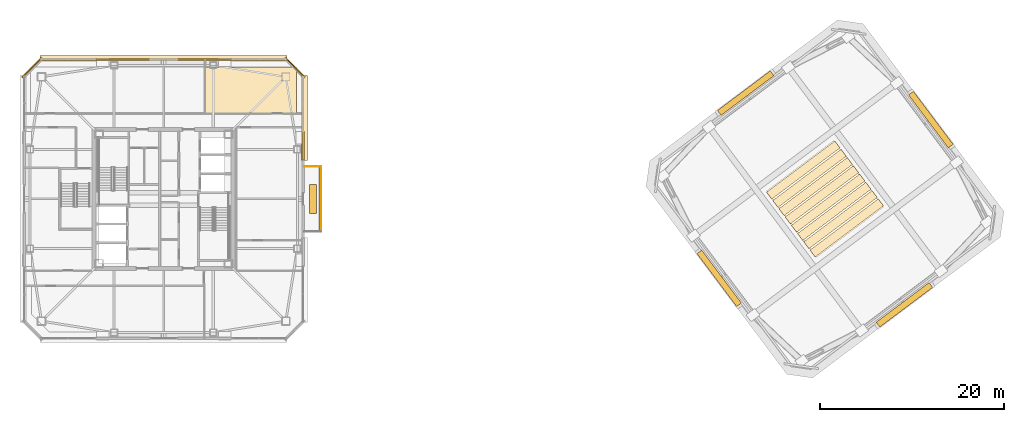
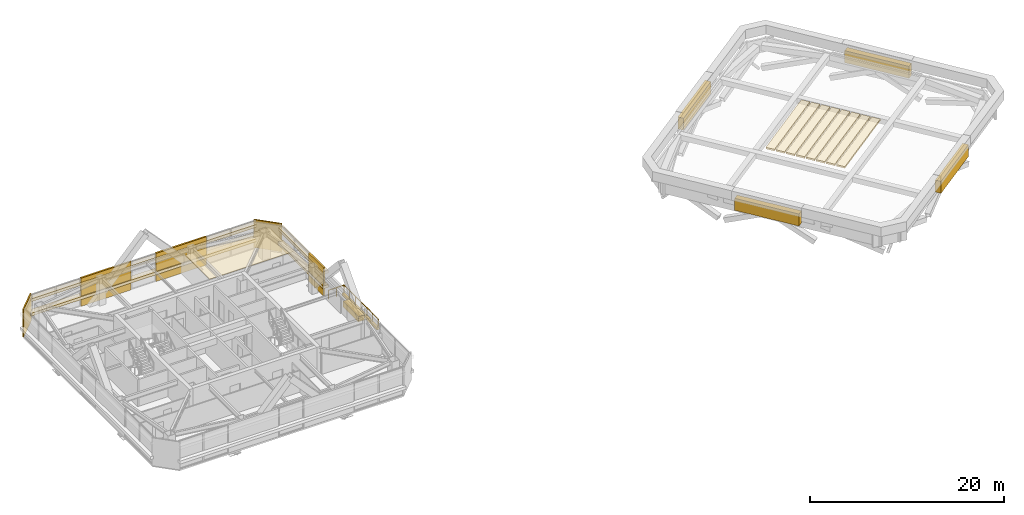
# One storey, part 24 of 24: 24 coverings, 2 railings.
"""IFC4 building model written with IfcOpenShell, lengths in metres."""

import ifcopenshell
import ifcopenshell.guid

model = None  # the IFC model being written
_history = None  # IfcOwnerHistory: only IFC2X3 demands one
_inside = {}  # id of a spatial element -> (the spatial element, [elements in it])
_under = {}  # id of a project, library or spatial element -> (it, [spatial elements below it])
_declared = {}  # id of a project -> (the project, [libraries it declares])
_typed = {}  # id of a type object -> (the type object, [elements of that type])
_made_of = {}  # id of a material, layer set ... -> (it, [elements and type objects made of it])


def new_model(schema):
    """Start an empty IFC model of exactly this schema.

    Asked for "IFC4X3", IfcOpenShell would pick the latest addendum, in which some entities
    have other attributes; the version numbers below select the first issue.
    IFC2X3 requires an IfcOwnerHistory on every rooted entity: one is made here for all.
    """
    global model, _history
    if schema == "IFC4X3":
        model = ifcopenshell.file(schema_version=(4, 3, 0, 0))
    else:
        model = ifcopenshell.file(schema=schema)
    _inside.clear()
    _under.clear()
    _declared.clear()
    _typed.clear()
    _made_of.clear()
    _history = None
    if model.schema == "IFC2X3":
        org = make("IfcOrganization", Name="unknown")
        user = make(
            "IfcPersonAndOrganization",
            ThePerson=make("IfcPerson", FamilyName="unknown"),
            TheOrganization=org,
        )
        app = make(
            "IfcApplication",
            ApplicationDeveloper=org,
            Version="unknown",
            ApplicationFullName="unknown",
            ApplicationIdentifier="unknown",
        )
        _history = make(
            "IfcOwnerHistory",
            OwningUser=user,
            OwningApplication=app,
            ChangeAction="ADDED",
            CreationDate=0,
        )
    return model


def make(cls, **values):
    """One entity of the class cls with the attributes given. An attribute that is None is left unset."""
    return model.create_entity(
        cls, **{name: value for name, value in values.items() if value is not None}
    )


def rooted(cls, **values):
    """An entity with a GlobalId (a new one), such as an element, a storey or a relation."""
    return make(cls, GlobalId=ifcopenshell.guid.new(), OwnerHistory=_history, **values)


def si_unit(unit_type, name, prefix=None):
    """IfcSIUnit, for example si_unit("LENGTHUNIT", "METRE", prefix="MILLI")."""
    return make("IfcSIUnit", UnitType=unit_type, Prefix=prefix, Name=name)


def assignment(units):
    """IfcUnitAssignment: the units of a project."""
    return None if units is None else make("IfcUnitAssignment", Units=units)


def point(xyz):
    """IfcCartesianPoint."""
    return None if xyz is None else make("IfcCartesianPoint", Coordinates=xyz)


def direction(xyz):
    """IfcDirection."""
    return None if xyz is None else make("IfcDirection", DirectionRatios=xyz)


def frame(location, z_axis=None, x_axis=None):
    """IfcAxis2Placement3D, a coordinate frame: its origin and axes. An axis left out is left unset."""
    return make(
        "IfcAxis2Placement3D",
        Location=point(location),
        Axis=direction(z_axis),
        RefDirection=direction(x_axis),
    )


def frame_2d(location, x_axis=None):
    """IfcAxis2Placement2D, a coordinate frame in the plane: its origin and x axis."""
    return make(
        "IfcAxis2Placement2D", Location=point(location), RefDirection=direction(x_axis)
    )


def origin():
    """The frame at (0, 0, 0) with its axes left unset."""
    return frame((0.0, 0.0, 0.0))


def origin_2d():
    """The frame at (0, 0) in the plane with its x axis left unset."""
    return frame_2d((0.0, 0.0))


def place(relative_to, where):
    """IfcLocalPlacement: puts the frame where relative to a parent placement (None: the world)."""
    return make(
        "IfcLocalPlacement", PlacementRelTo=relative_to, RelativePlacement=where
    )


def context(
    kind, dimensions, precision=None, world=None, true_north=None, identifier=None
):
    """IfcGeometricRepresentationContext, for example the 3D "Model" context."""
    return make(
        "IfcGeometricRepresentationContext",
        ContextIdentifier=identifier,
        ContextType=kind,
        CoordinateSpaceDimension=dimensions,
        Precision=precision,
        WorldCoordinateSystem=world,
        TrueNorth=true_north,
    )


def subcontext(parent, identifier, kind, view, scale=None):
    """IfcGeometricRepresentationSubContext, for example "Body" below "Model"."""
    return make(
        "IfcGeometricRepresentationSubContext",
        ContextIdentifier=identifier,
        ContextType=kind,
        ParentContext=parent,
        TargetScale=scale,
        TargetView=view,
    )


def project(units=None, contexts=None):
    """IfcProject with its units and contexts."""
    return rooted(
        "IfcProject",
        Name="project",
        RepresentationContexts=contexts,
        UnitsInContext=assignment(units),
    )


def spatial(cls, under=None, at=None, **own):
    """A site, building, storey or space (cls), placed at a placement, below another one or the project."""
    s = rooted(cls, ObjectPlacement=at, **own)
    if under is not None:
        _under.setdefault(under.id(), (under, []))[1].append(s)
    return s


def polyline(points):
    """IfcPolyline through the points."""
    return make("IfcPolyline", Points=[point(p) for p in points])


def profile(cls, at=None, kind="AREA", **sizes):
    """A parametric profile (cls). Its sizes go by their IFC names, for example OverallWidth=200.0."""
    return make(cls, ProfileType=kind, Position=at, **sizes)


def rectangle(**sizes):
    """IfcRectangleProfileDef."""
    return profile("IfcRectangleProfileDef", **sizes)


def outline(outer, holes=None, kind="AREA"):
    """IfcArbitraryClosedProfileDef: a profile drawn as a closed curve; with holes, ...WithVoids."""
    if holes is None:
        return make("IfcArbitraryClosedProfileDef", ProfileType=kind, OuterCurve=outer)
    return make(
        "IfcArbitraryProfileDefWithVoids",
        ProfileType=kind,
        OuterCurve=outer,
        InnerCurves=holes,
    )


def extrude(swept, where, along, depth):
    """IfcExtrudedAreaSolid: the profile swept, set in the frame where, extruded along a direction by depth."""
    return make(
        "IfcExtrudedAreaSolid",
        SweptArea=swept,
        Position=where,
        ExtrudedDirection=direction(along),
        Depth=depth,
    )


def shape(context_of_items, identifier, shape_type, items):
    """IfcShapeRepresentation: the items that make up one representation, for example the "Body"."""
    return make(
        "IfcShapeRepresentation",
        ContextOfItems=context_of_items,
        RepresentationIdentifier=identifier,
        RepresentationType=shape_type,
        Items=items,
    )


def material(Name=None, Category=None):
    """IfcMaterial."""
    return make("IfcMaterial", Name=Name, Category=Category)


def layer(
    of_material, thickness, ventilated=None, Name=None, Category=None, Priority=None
):
    """IfcMaterialLayer: one layer of a wall or slab, of a material (None: an air gap)."""
    return make(
        "IfcMaterialLayer",
        Material=of_material,
        LayerThickness=thickness,
        IsVentilated=ventilated,
        Name=Name,
        Category=Category,
        Priority=Priority,
    )


def layer_set(layers, Name=None):
    """IfcMaterialLayerSet."""
    return make("IfcMaterialLayerSet", MaterialLayers=layers, LayerSetName=Name)


def made_of(thing, what):
    """Note that an element or type object is made of a material, layer set ...; save() writes the relation."""
    if what is not None:
        _made_of.setdefault(what.id(), (what, []))[1].append(thing)
    return thing


def type_object(cls, material=None, **own):
    """A type object (cls), such as IfcWallType, which elements share."""
    return made_of(rooted(cls, **own), material)


def element(
    cls,
    number,
    at=None,
    inside=None,
    cuts=None,
    type_object=None,
    material=None,
    context=None,
    identifier="Body",
    shape_type=None,
    held_by="IfcProductDefinitionShape",
    body=None,
    shapes=None,
    **own,
):
    """One element of the class cls, such as IfcWall. Its Tag is "e" and its number.

    at: its placement. inside: the storey or other place that contains it. cuts: it is an
    opening in that element (IfcRelVoidsElement). A single representation is given by context,
    identifier, shape_type and body (its items); several are given by shapes. held_by: the class
    of the entity that holds the representations. save() writes the other relations.
    """
    e = rooted(cls, Tag="e%d" % number, ObjectPlacement=at, **own)
    if body is not None:
        shapes = [shape(context, identifier, shape_type, body)]
    if shapes is not None:
        e.Representation = make(held_by, Representations=shapes)
    if inside is not None:
        _inside.setdefault(inside.id(), (inside, []))[1].append(e)
    if cuts is not None:
        rooted(
            "IfcRelVoidsElement", RelatingBuildingElement=cuts, RelatedOpeningElement=e
        )
    if type_object is not None:
        _typed.setdefault(type_object.id(), (type_object, []))[1].append(e)
    return made_of(e, material)


def aggregate(whole, parts):
    """IfcRelAggregates: a whole, such as a stair, and the parts it consists of."""
    return rooted("IfcRelAggregates", RelatingObject=whole, RelatedObjects=parts)


def save(model, path):
    """Write the relations noted so far, then the file.

    IfcRelAggregates (storeys below a building ...), IfcRelContainedInSpatialStructure (elements
    in a storey), IfcRelDefinesByType, IfcRelAssociatesMaterial and IfcRelDeclares: one each for
    every whole, place, type object, material and project.
    """
    for whole, parts in _under.values():
        aggregate(whole, parts)
    for where, things in _inside.values():
        rooted(
            "IfcRelContainedInSpatialStructure",
            RelatedElements=things,
            RelatingStructure=where,
        )
    for kind, things in _typed.values():
        rooted("IfcRelDefinesByType", RelatedObjects=things, RelatingType=kind)
    for what, things in _made_of.values():
        rooted("IfcRelAssociatesMaterial", RelatedObjects=things, RelatingMaterial=what)
    for by, libraries in _declared.values():
        rooted("IfcRelDeclares", RelatingContext=by, RelatedDefinitions=libraries)
    model.write(path)


model = new_model("IFC4")

# Units and contexts
model_context = context("Model", 3, precision=1e-05, world=origin(), true_north=direction((0.0, 1.0)))
body_context = subcontext(model_context, "Body", "Model", "MODEL_VIEW")
ifc_project = project(units=[si_unit("LENGTHUNIT", "METRE"), si_unit("AREAUNIT", "SQUARE_METRE"), si_unit("VOLUMEUNIT", "CUBIC_METRE"), si_unit("PLANEANGLEUNIT", "RADIAN"), si_unit("MASSUNIT", "GRAM", prefix="KILO")], contexts=[model_context])

# Site, building, storey
site_placement = place(None, origin())
site = spatial("IfcSite", under=ifc_project, at=site_placement, CompositionType="ELEMENT")
building_placement = place(site_placement, origin())
building = spatial("IfcBuilding", under=site, at=building_placement, Name="Tashvorn Skyway Center", CompositionType="ELEMENT")
storey_placement = place(building_placement, frame((0.0, 0.0, 270.5)))
storey = spatial("IfcBuildingStorey", under=building, at=storey_placement, Name="L73", CompositionType="ELEMENT", Elevation=270.5)

# Coverings
ifc_material_1 = material(Name="Precast concrete C40/50", Category="concrete")
ifc_layer_1 = layer(ifc_material_1, 0.199951171875)
ifc_layer_set_1 = layer_set([ifc_layer_1], Name="Precast concrete C40/50")
covering_type_1 = type_object("IfcCoveringType", Name="COV-BRACE-CLAD", PredefinedType="CLADDING", material=ifc_layer_set_1)
for number, where, z_axis, x_axis, name in (
    (1, (37.5400390625, 47.179931640625, 0.0), (0.0, 0.0, 1.0), (1.0, 0.0, 0.0), "Tower 1 L73 North Unitised Curtain Wall Mega-Brace Cladding Band 1"),
    (2, (46.4599609375, 47.179931640625, 0.0), (0.0, 0.0, 1.0), (1.0, 0.0, 0.0), "Tower 1 L73 North Unitised Curtain Wall Mega-Brace Cladding Band 2"),
):
    element("IfcCovering", number, at=place(storey_placement, frame(where, z_axis=z_axis, x_axis=x_axis)), inside=storey, type_object=covering_type_1, Name=name, PredefinedType="CLADDING", context=body_context, shape_type="SweptSolid", body=[
        extrude(rectangle(XDim=5.946533203125, YDim=0.199951171875, at=origin_2d()), origin(), (0.0, 0.0, 1.0), 3.550048828125),
    ])
covering_1_placement = place(storey_placement, frame((57.179931640625, 37.771728515625, 0.0), z_axis=(0.0, 0.0, 1.0), x_axis=(0.0, -1.0, 0.0)))
element("IfcCovering", 3, at=covering_1_placement, inside=storey, type_object=covering_type_1, Name="Tower 1 L73 East Curtain Wall L Mega-Brace Cladding Band 1", PredefinedType="CLADDING", context=body_context, shape_type="SweptSolid", body=[
    extrude(rectangle(XDim=3.043212890625, YDim=0.199951171875, at=origin_2d()), origin(), (0.0, 0.0, 1.0), 3.550048828125),
])
ifc_material_2 = material(Name="Mineral-fibre acoustic ceiling tile on suspended grid")
ifc_layer_2 = layer(ifc_material_2, 0.02001953125)
ifc_layer_set_2 = layer_set([ifc_layer_2], Name="Mineral-fibre acoustic ceiling tile on suspended grid")
covering_type_2 = type_object("IfcCoveringType", Name="COV-CEIL-20", PredefinedType="CEILING", material=ifc_layer_set_2)
covering_2_placement = place(storey_placement, frame((0.0, 0.0, 2.702880859375)))
element("IfcCovering", 4, at=covering_2_placement, inside=storey, type_object=covering_type_2, Name="Tower 1 L73 Wellness Clinic Acoustic Ceiling", PredefinedType="CEILING", context=body_context, shape_type="SweptSolid", body=[
    extrude(outline(polyline([(46.5, 41.300048828125), (56.469970703125, 41.300048828125), (56.469970703125, 46.3701171875), (46.5, 46.3701171875), (46.5, 41.300048828125)])), origin(), (0.0, 0.0, 1.0), 0.02001953125),
])
ifc_material_3 = material(Name="Perforated ceramic-coated bronze aluminium solar screen", Category="aluminium")
ifc_layer_3 = layer(ifc_material_3, 0.2099609375)
ifc_layer_set_3 = layer_set([ifc_layer_3], Name="Perforated ceramic-coated bronze aluminium solar screen")
covering_type_3 = type_object("IfcCoveringType", Name="COV-LOUVRE-GRILLE", PredefinedType="CLADDING", material=ifc_layer_set_3)
for number, where, z_axis, x_axis, name in (
    (5, (116.362548828125, 28.85009765625, 2.89013671875), (0.0, 0.0, 1.0), (0.799999996291, 0.600000004945, 0.0), "CROWN Top Acoustic Louvre Roof Grille T2-1"),
    (6, (115.6875, 29.75, 2.89013671875), (0.0, 0.0, 1.0), (0.799999996291, 0.600000004945, 0.0), "CROWN Top Acoustic Louvre Roof Grille T2-2"),
    (7, (115.012451171875, 30.64990234375, 2.89013671875), (0.0, 0.0, 1.0), (0.799999996291, 0.600000004945, 0.0), "CROWN Top Acoustic Louvre Roof Grille T2-3"),
    (8, (114.33740234375, 31.550048828125, 2.89013671875), (0.0, 0.0, 1.0), (0.799999996291, 0.600000004945, 0.0), "CROWN Top Acoustic Louvre Roof Grille T2-4"),
    (9, (113.66259765625, 32.449951171875, 2.89013671875), (0.0, 0.0, 1.0), (0.799999996291, 0.600000004945, 0.0), "CROWN Top Acoustic Louvre Roof Grille T2-5"),
    (10, (112.987548828125, 33.35009765625, 2.89013671875), (0.0, 0.0, 1.0), (0.799999996291, 0.600000004945, 0.0), "CROWN Top Acoustic Louvre Roof Grille T2-6"),
    (11, (112.3125, 34.25, 2.89013671875), (0.0, 0.0, 1.0), (0.799999996291, 0.600000004945, 0.0), "CROWN Top Acoustic Louvre Roof Grille T2-7"),
    (12, (111.637451171875, 35.14990234375, 2.89013671875), (0.0, 0.0, 1.0), (0.799999996291, 0.600000004945, 0.0), "CROWN Top Acoustic Louvre Roof Grille T2-8"),
):
    element("IfcCovering", number, at=place(storey_placement, frame(where, z_axis=z_axis, x_axis=x_axis)), inside=storey, type_object=covering_type_3, Name=name, PredefinedType="CLADDING", context=body_context, shape_type="SweptSolid", body=[
        extrude(rectangle(XDim=9.300048828125, YDim=0.9599609375, at=origin_2d()), origin(), (0.0, 0.0, 1.0), 0.2099609375),
    ])
ifc_layer_4 = layer(ifc_material_3, 0.85009765625)
ifc_layer_set_4 = layer_set([ifc_layer_4], Name="Perforated ceramic-coated bronze aluminium solar screen")
covering_type_4 = type_object("IfcCoveringType", Name="COV-SOLAR-BAND", PredefinedType="CLADDING", material=ifc_layer_set_4)
for number, where, z_axis, x_axis, name in (
    (13, (42.0, 47.320068359375, 0.919921875), (0.0, 0.0, 1.0), (1.0, 0.0, 0.0), "L73 Perforated Ceramic-Metal Solar Screen Louvre Band North 1"),
    (14, (42.0, 47.320068359375, 2.7197265625), (0.0, 0.0, 1.0), (1.0, 0.0, 0.0), "L73 Perforated Ceramic-Metal Solar Screen Louvre Band North 2"),
):
    element("IfcCovering", number, at=place(storey_placement, frame(where, z_axis=z_axis, x_axis=x_axis)), inside=storey, type_object=covering_type_4, Name=name, PredefinedType="CLADDING", context=body_context, shape_type="SweptSolid", body=[
        extrude(rectangle(XDim=26.8798828125, YDim=0.639892578125, at=origin_2d()), origin(), (0.0, 0.0, 1.0), 0.360107421875),
    ])
for number, where, z_axis, x_axis, name in (
    (15, (57.320068359375, 40.81494140625, 0.919921875), (0.0, 0.0, 1.0), (0.0, -1.0, 0.0), "L73 Perforated Ceramic-Metal Solar Screen Louvre Band East 1"),
    (16, (57.320068359375, 40.81494140625, 2.7197265625), (0.0, 0.0, 1.0), (0.0, -1.0, 0.0), "L73 Perforated Ceramic-Metal Solar Screen Louvre Band East 2"),
):
    element("IfcCovering", number, at=place(storey_placement, frame(where, z_axis=z_axis, x_axis=x_axis)), inside=storey, type_object=covering_type_4, Name=name, PredefinedType="CLADDING", context=body_context, shape_type="SweptSolid", body=[
        extrude(rectangle(XDim=9.25, YDim=0.639892578125, at=origin_2d()), origin(), (0.0, 0.0, 1.0), 0.360107421875),
    ])
ifc_layer_5 = layer(ifc_material_1, 0.35009765625)
ifc_layer_set_5 = layer_set([ifc_layer_5], Name="Precast concrete C40/50")
covering_type_5 = type_object("IfcCoveringType", Name="COV-STONE-TRIM", PredefinedType="CLADDING", material=ifc_layer_set_5)
covering_3_placement = place(storey_placement, frame((59.06005859375, 32.0, -0.16015625), z_axis=(0.0, 0.0, 1.0), x_axis=(0.0, -1.0, 0.0)))
element("IfcCovering", 17, at=covering_3_placement, inside=storey, type_object=covering_type_5, Name="Tower 1 L73 Spiral Terrace Terracotta Fascia", PredefinedType="CLADDING", context=body_context, shape_type="SweptSolid", body=[
    extrude(rectangle(XDim=7.199951171875, YDim=0.280029296875, at=origin_2d()), origin(), (0.0, 0.0, 1.0), 0.280029296875),
])
covering_4_placement = place(storey_placement, frame((58.25, 32.0, 0.0), z_axis=(0.0, 0.0, 1.0), x_axis=(0.0, -1.0, 0.0)))
element("IfcCovering", 18, at=covering_4_placement, inside=storey, type_object=covering_type_5, Name="Tower 1 L73 Spiral Terrace Planter", PredefinedType="CLADDING", context=body_context, shape_type="SweptSolid", body=[
    extrude(rectangle(XDim=3.199951171875, YDim=0.75, at=origin_2d()), origin(), (0.0, 0.0, 1.0), 0.679931640625),
])
for number, where, z_axis, x_axis, name in (
    (19, (27.679931640625, 46.320068359375, 0.02001953125), (0.0, 0.0, 1.0), (-0.707106781187, -0.707106781187, 0.0), "Tower 1 L73 NW Mojave Limestone Corner Quoin"),
    (20, (56.320068359375, 46.320068359375, 0.02001953125), (0.0, 0.0, 1.0), (0.707106781187, -0.707106781187, 0.0), "Tower 1 L73 NE Mojave Limestone Corner Quoin"),
):
    element("IfcCovering", number, at=place(storey_placement, frame(where, z_axis=z_axis, x_axis=x_axis)), inside=storey, type_object=covering_type_5, Name=name, PredefinedType="CLADDING", context=body_context, shape_type="SweptSolid", body=[
        extrude(rectangle(XDim=2.98828125, YDim=0.139892578125, at=origin_2d()), origin(), (0.0, 0.0, 1.0), 3.510009765625),
    ])
for number, where, z_axis, x_axis, name in (
    (21, (122.639892578125, 20.47998046875, 1.89990234375), (0.0, 0.0, 1.0), (0.799999996291, 0.600000004945, 0.0), "CROWN Postmodern Pediment Tablet T2 S"),
    (22, (125.52001953125, 40.639892578125, 1.89990234375), (0.0, 0.0, 1.0), (-0.600000004945, 0.799999996291, 0.0), "CROWN Postmodern Pediment Tablet T2 E"),
    (23, (105.360107421875, 43.52001953125, 1.89990234375), (0.0, 0.0, 1.0), (-0.799999996291, -0.600000004945, 0.0), "CROWN Postmodern Pediment Tablet T2 N"),
    (24, (102.47998046875, 23.360107421875, 1.89990234375), (0.0, 0.0, 1.0), (0.600000004945, -0.799999996291, 0.0), "CROWN Postmodern Pediment Tablet T2 W"),
):
    element("IfcCovering", number, at=place(storey_placement, frame(where, z_axis=z_axis, x_axis=x_axis)), inside=storey, type_object=covering_type_5, Name=name, PredefinedType="CLADDING", context=body_context, shape_type="SweptSolid", body=[
        extrude(rectangle(XDim=7.199951171875, YDim=0.64990234375, at=origin_2d()), origin(), (0.0, 0.0, 1.0), 1.5),
    ])

# Railings
ifc_material_4 = material(Name="Galvanized steel S355", Category="steel")
railing_type = type_object("IfcRailingType", Name="RAIL-GUARD-1120", PredefinedType="GUARDRAIL", material=ifc_material_4)
railing_1_placement = place(storey_placement, frame((59.1201171875, 28.47998046875, 0.0)))
element("IfcRailing", 25, at=railing_1_placement, inside=storey, type_object=railing_type, Name="L73 Tower 1 Terrace Guardrail 02", PredefinedType="GUARDRAIL", context=body_context, shape_type="SweptSolid", body=[
    extrude(rectangle(XDim=0.048095703125, YDim=0.048095703125, at=origin_2d()), frame((0.0, 0.0, 1.09619140625), z_axis=(0.0, 1.0, 0.0), x_axis=(-1.0, 0.0, 0.0)), (0.0, 0.0, 1.0), 7.0400390625),
    extrude(rectangle(XDim=0.0419921875, YDim=0.0419921875, at=origin_2d()), origin(), (0.0, 0.0, 1.0), 1.072021484375),
    extrude(rectangle(XDim=0.0419921875, YDim=0.0419921875, at=origin_2d()), frame((0.0, 1.17333984375, 0.0)), (0.0, 0.0, 1.0), 1.072021484375),
    extrude(rectangle(XDim=0.0419921875, YDim=0.0419921875, at=origin_2d()), frame((0.0, 2.3466796875, 0.0)), (0.0, 0.0, 1.0), 1.072021484375),
    extrude(rectangle(XDim=0.0419921875, YDim=0.0419921875, at=origin_2d()), frame((0.0, 3.52001953125, 0.0)), (0.0, 0.0, 1.0), 1.072021484375),
    extrude(rectangle(XDim=0.0419921875, YDim=0.0419921875, at=origin_2d()), frame((0.0, 4.693359375, 0.0)), (0.0, 0.0, 1.0), 1.072021484375),
    extrude(rectangle(XDim=0.0419921875, YDim=0.0419921875, at=origin_2d()), frame((0.0, 5.86669921875, 0.0)), (0.0, 0.0, 1.0), 1.072021484375),
    extrude(rectangle(XDim=0.0419921875, YDim=0.0419921875, at=origin_2d()), frame((0.0, 7.0400390625, 0.0)), (0.0, 0.0, 1.0), 1.072021484375),
])
railing_2_placement = place(storey_placement, frame((59.1201171875, 35.52001953125, 0.0)))
element("IfcRailing", 26, at=railing_2_placement, inside=storey, type_object=railing_type, Name="L73 Tower 1 Terrace Guardrail 03", PredefinedType="GUARDRAIL", context=body_context, shape_type="SweptSolid", body=[
    extrude(rectangle(XDim=0.048095703125, YDim=0.048095703125, at=origin_2d()), frame((0.0, 0.0, 1.09619140625), z_axis=(-1.0, 0.0, 0.0), x_axis=(0.0, -1.0, 0.0)), (0.0, 0.0, 1.0), 1.820068359375),
    extrude(rectangle(XDim=0.0419921875, YDim=0.0419921875, at=origin_2d()), origin(), (0.0, 0.0, 1.0), 1.072021484375),
    extrude(rectangle(XDim=0.0419921875, YDim=0.0419921875, at=origin_2d()), frame((-0.91015625, 0.0, 0.0)), (0.0, 0.0, 1.0), 1.072021484375),
    extrude(rectangle(XDim=0.0419921875, YDim=0.0419921875, at=origin_2d()), frame((-1.820068359375, 0.0, 0.0)), (0.0, 0.0, 1.0), 1.072021484375),
])

save(model, "model.ifc")
